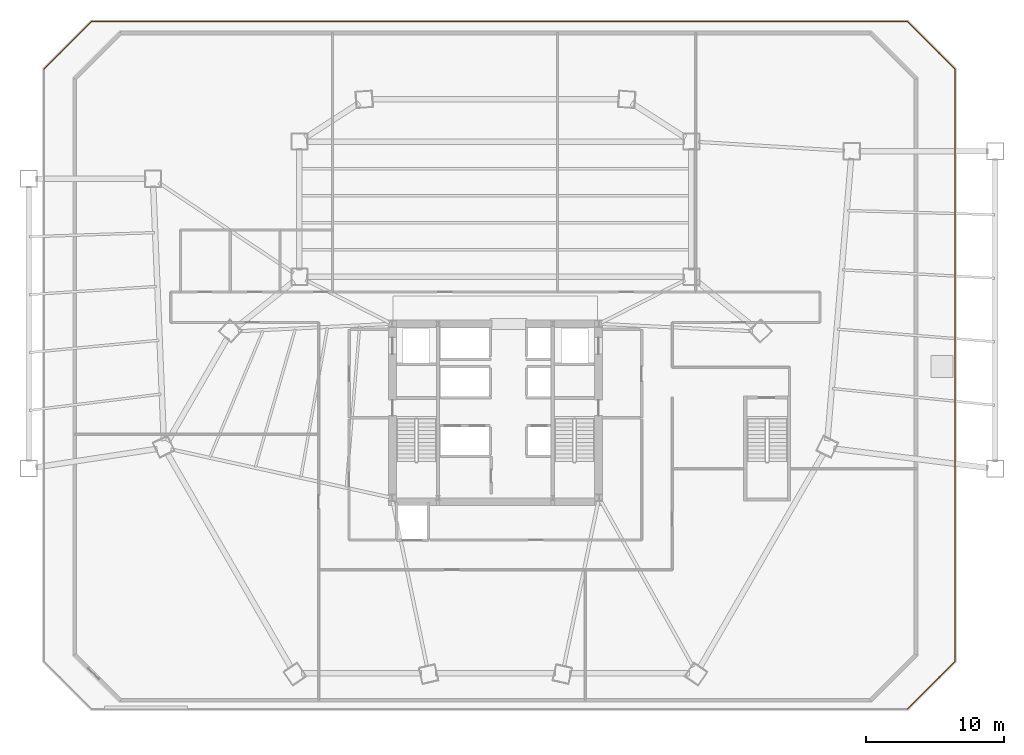
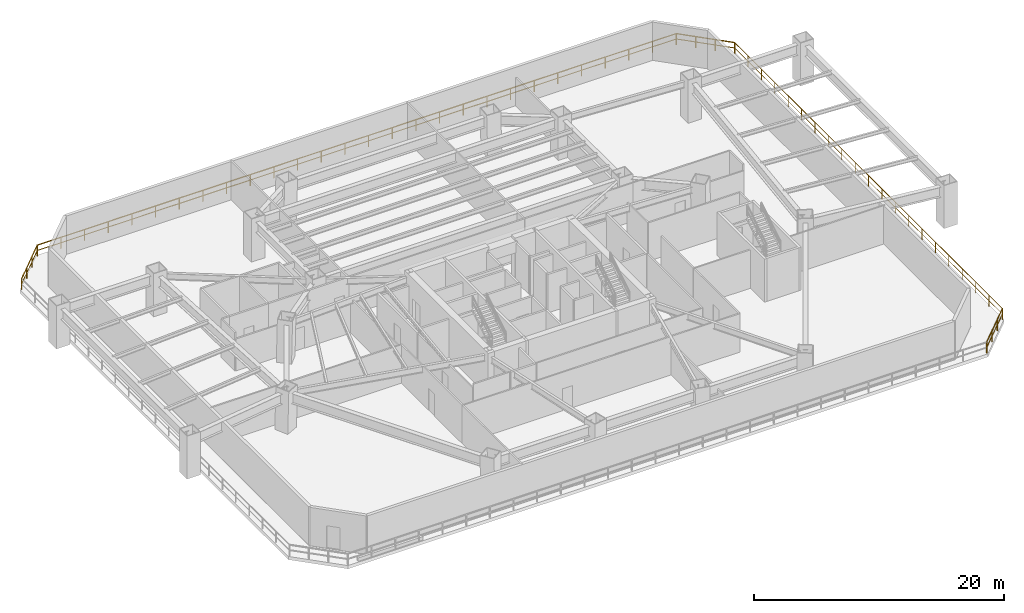
# One storey, part 12 of 12: 5 railings.
"""IFC4 building model written with IfcOpenShell, lengths in metres."""

from ifc_helpers import new_model, si_unit, direction, frame, origin, origin_2d, place, context, subcontext, project, spatial, rectangle, extrude, material, layer, layer_set, type_object, element, save


model = new_model("IFC4")

# Units and contexts
model_context = context("Model", 3, precision=1e-05, world=origin(), true_north=direction((0.0, 1.0)))
body_context = subcontext(model_context, "Body", "Model", "MODEL_VIEW")
ifc_project = project(units=[si_unit("LENGTHUNIT", "METRE"), si_unit("AREAUNIT", "SQUARE_METRE"), si_unit("VOLUMEUNIT", "CUBIC_METRE"), si_unit("PLANEANGLEUNIT", "RADIAN"), si_unit("MASSUNIT", "GRAM", prefix="KILO")], contexts=[model_context])

# Site, building, storey
site_placement = place(None, origin())
site = spatial("IfcSite", under=ifc_project, at=site_placement, CompositionType="ELEMENT")
building_placement = place(site_placement, origin())
building = spatial("IfcBuilding", under=site, at=building_placement, Name="Caelisora Broadcast Tower", CompositionType="ELEMENT")
storey_placement = place(building_placement, frame((0.0, 0.0, 18.89990234375)))
storey = spatial("IfcBuildingStorey", under=building, at=storey_placement, Name="L04", CompositionType="ELEMENT", Elevation=18.89990234375)

# Railings
ifc_material = material(Name="Laminated Glass and Stainless Steel Terrace Balustrade", Category="steel")
ifc_layer = layer(ifc_material, 0.048095703125, Name="Laminated Glass and Stainless Steel Terrace Balustrade")
ifc_layer_set = layer_set([ifc_layer], Name="Laminated Glass and Stainless Steel Terrace Balustrade")
railing_type = type_object("IfcRailingType", Name="BL-1", PredefinedType="BALUSTRADE", material=ifc_layer_set)
railing_1_placement = place(storey_placement, frame((5.320068359375, 48.449951171875, 0.0)))
element("IfcRailing", 1, at=railing_1_placement, inside=storey, type_object=railing_type, Name="L04 balustrade BL-1 #03", PredefinedType="BALUSTRADE", context=body_context, shape_type="SweptSolid", body=[
    extrude(rectangle(XDim=0.048095703125, YDim=0.048095703125, at=origin_2d()), frame((0.0, 0.0, 1.076171875), z_axis=(0.707106781187, 0.707106781187, 0.0), x_axis=(-0.707106781187, 0.707106781187, 0.0)), (0.0, 0.0, 1.0), 4.8505859375),
    extrude(rectangle(XDim=0.03125, YDim=0.03125, at=origin_2d()), frame((0.0, 0.0, 0.550048828125), z_axis=(0.707106781187, 0.707106781187, 0.0), x_axis=(-0.707106781187, 0.707106781187, 0.0)), (0.0, 0.0, 1.0), 4.8505859375),
    extrude(rectangle(XDim=0.0419921875, YDim=0.0419921875, at=origin_2d()), origin(), (0.0, 0.0, 1.0), 1.052001953125),
    extrude(rectangle(XDim=0.0419921875, YDim=0.0419921875, at=origin_2d()), frame((1.143310546875, 1.143310546875, 0.0)), (0.0, 0.0, 1.0), 1.052001953125),
    extrude(rectangle(XDim=0.0419921875, YDim=0.0419921875, at=origin_2d()), frame((2.28662109375, 2.28662109375, 0.0)), (0.0, 0.0, 1.0), 1.052001953125),
    extrude(rectangle(XDim=0.0419921875, YDim=0.0419921875, at=origin_2d()), frame((3.429931640625, 3.429931640625, 0.0)), (0.0, 0.0, 1.0), 1.052001953125),
])
railing_2_placement = place(storey_placement, frame((8.75, 51.8798828125, 0.0)))
element("IfcRailing", 2, at=railing_2_placement, inside=storey, type_object=railing_type, Name="L04 balustrade BL-1 #04", PredefinedType="BALUSTRADE", context=body_context, shape_type="SweptSolid", body=[
    extrude(rectangle(XDim=0.048095703125, YDim=0.048095703125, at=origin_2d()), frame((0.0, 0.0, 1.076171875), z_axis=(1.0, 0.0, 0.0), x_axis=(0.0, 1.0, 0.0)), (0.0, 0.0, 1.0), 59.10009765625),
    extrude(rectangle(XDim=0.03125, YDim=0.03125, at=origin_2d()), frame((0.0, 0.0, 0.550048828125), z_axis=(1.0, 0.0, 0.0), x_axis=(0.0, 1.0, 0.0)), (0.0, 0.0, 1.0), 59.10009765625),
    extrude(rectangle(XDim=0.0419921875, YDim=0.0419921875, at=origin_2d()), origin(), (0.0, 0.0, 1.0), 1.052001953125),
    extrude(rectangle(XDim=0.0419921875, YDim=0.0419921875, at=origin_2d()), frame((2.18896484375, 0.0, 0.0)), (0.0, 0.0, 1.0), 1.052001953125),
    extrude(rectangle(XDim=0.0419921875, YDim=0.0419921875, at=origin_2d()), frame((4.377685546875, 0.0, 0.0)), (0.0, 0.0, 1.0), 1.052001953125),
    extrude(rectangle(XDim=0.0419921875, YDim=0.0419921875, at=origin_2d()), frame((6.566650390625, 0.0, 0.0)), (0.0, 0.0, 1.0), 1.052001953125),
    extrude(rectangle(XDim=0.0419921875, YDim=0.0419921875, at=origin_2d()), frame((8.755615234375, 0.0, 0.0)), (0.0, 0.0, 1.0), 1.052001953125),
    extrude(rectangle(XDim=0.0419921875, YDim=0.0419921875, at=origin_2d()), frame((10.944580078125, 0.0, 0.0)), (0.0, 0.0, 1.0), 1.052001953125),
    extrude(rectangle(XDim=0.0419921875, YDim=0.0419921875, at=origin_2d()), frame((13.13330078125, 0.0, 0.0)), (0.0, 0.0, 1.0), 1.052001953125),
    extrude(rectangle(XDim=0.0419921875, YDim=0.0419921875, at=origin_2d()), frame((15.322265625, 0.0, 0.0)), (0.0, 0.0, 1.0), 1.052001953125),
    extrude(rectangle(XDim=0.0419921875, YDim=0.0419921875, at=origin_2d()), frame((17.51123046875, 0.0, 0.0)), (0.0, 0.0, 1.0), 1.052001953125),
    extrude(rectangle(XDim=0.0419921875, YDim=0.0419921875, at=origin_2d()), frame((19.699951171875, 0.0, 0.0)), (0.0, 0.0, 1.0), 1.052001953125),
    extrude(rectangle(XDim=0.0419921875, YDim=0.0419921875, at=origin_2d()), frame((21.888916015625, 0.0, 0.0)), (0.0, 0.0, 1.0), 1.052001953125),
    extrude(rectangle(XDim=0.0419921875, YDim=0.0419921875, at=origin_2d()), frame((24.077880859375, 0.0, 0.0)), (0.0, 0.0, 1.0), 1.052001953125),
    extrude(rectangle(XDim=0.0419921875, YDim=0.0419921875, at=origin_2d()), frame((26.2666015625, 0.0, 0.0)), (0.0, 0.0, 1.0), 1.052001953125),
    extrude(rectangle(XDim=0.0419921875, YDim=0.0419921875, at=origin_2d()), frame((28.45556640625, 0.0, 0.0)), (0.0, 0.0, 1.0), 1.052001953125),
    extrude(rectangle(XDim=0.0419921875, YDim=0.0419921875, at=origin_2d()), frame((30.64453125, 0.0, 0.0)), (0.0, 0.0, 1.0), 1.052001953125),
    extrude(rectangle(XDim=0.0419921875, YDim=0.0419921875, at=origin_2d()), frame((32.83349609375, 0.0, 0.0)), (0.0, 0.0, 1.0), 1.052001953125),
    extrude(rectangle(XDim=0.0419921875, YDim=0.0419921875, at=origin_2d()), frame((35.022216796875, 0.0, 0.0)), (0.0, 0.0, 1.0), 1.052001953125),
    extrude(rectangle(XDim=0.0419921875, YDim=0.0419921875, at=origin_2d()), frame((37.211181640625, 0.0, 0.0)), (0.0, 0.0, 1.0), 1.052001953125),
    extrude(rectangle(XDim=0.0419921875, YDim=0.0419921875, at=origin_2d()), frame((39.400146484375, 0.0, 0.0)), (0.0, 0.0, 1.0), 1.052001953125),
    extrude(rectangle(XDim=0.0419921875, YDim=0.0419921875, at=origin_2d()), frame((41.5888671875, 0.0, 0.0)), (0.0, 0.0, 1.0), 1.052001953125),
    extrude(rectangle(XDim=0.0419921875, YDim=0.0419921875, at=origin_2d()), frame((43.77783203125, 0.0, 0.0)), (0.0, 0.0, 1.0), 1.052001953125),
    extrude(rectangle(XDim=0.0419921875, YDim=0.0419921875, at=origin_2d()), frame((45.966796875, 0.0, 0.0)), (0.0, 0.0, 1.0), 1.052001953125),
    extrude(rectangle(XDim=0.0419921875, YDim=0.0419921875, at=origin_2d()), frame((48.155517578125, 0.0, 0.0)), (0.0, 0.0, 1.0), 1.052001953125),
    extrude(rectangle(XDim=0.0419921875, YDim=0.0419921875, at=origin_2d()), frame((50.344482421875, 0.0, 0.0)), (0.0, 0.0, 1.0), 1.052001953125),
    extrude(rectangle(XDim=0.0419921875, YDim=0.0419921875, at=origin_2d()), frame((52.533447265625, 0.0, 0.0)), (0.0, 0.0, 1.0), 1.052001953125),
    extrude(rectangle(XDim=0.0419921875, YDim=0.0419921875, at=origin_2d()), frame((54.722412109375, 0.0, 0.0)), (0.0, 0.0, 1.0), 1.052001953125),
    extrude(rectangle(XDim=0.0419921875, YDim=0.0419921875, at=origin_2d()), frame((56.9111328125, 0.0, 0.0)), (0.0, 0.0, 1.0), 1.052001953125),
    extrude(rectangle(XDim=0.0419921875, YDim=0.0419921875, at=origin_2d()), frame((59.10009765625, 0.0, 0.0)), (0.0, 0.0, 1.0), 1.052001953125),
])
railing_3_placement = place(storey_placement, frame((67.85009765625, 51.8798828125, 0.0)))
element("IfcRailing", 3, at=railing_3_placement, inside=storey, type_object=railing_type, Name="L04 balustrade BL-1 #05", PredefinedType="BALUSTRADE", context=body_context, shape_type="SweptSolid", body=[
    extrude(rectangle(XDim=0.048095703125, YDim=0.048095703125, at=origin_2d()), frame((0.0, 0.0, 1.076171875), z_axis=(0.707106781187, -0.707106781187, 0.0), x_axis=(0.707106781187, 0.707106781187, 0.0)), (0.0, 0.0, 1.0), 4.8505859375),
    extrude(rectangle(XDim=0.03125, YDim=0.03125, at=origin_2d()), frame((0.0, 0.0, 0.550048828125), z_axis=(0.707106781187, -0.707106781187, 0.0), x_axis=(0.707106781187, 0.707106781187, 0.0)), (0.0, 0.0, 1.0), 4.8505859375),
    extrude(rectangle(XDim=0.0419921875, YDim=0.0419921875, at=origin_2d()), origin(), (0.0, 0.0, 1.0), 1.052001953125),
    extrude(rectangle(XDim=0.0419921875, YDim=0.0419921875, at=origin_2d()), frame((1.143310546875, -1.143310546875, 0.0)), (0.0, 0.0, 1.0), 1.052001953125),
    extrude(rectangle(XDim=0.0419921875, YDim=0.0419921875, at=origin_2d()), frame((2.28662109375, -2.28662109375, 0.0)), (0.0, 0.0, 1.0), 1.052001953125),
    extrude(rectangle(XDim=0.0419921875, YDim=0.0419921875, at=origin_2d()), frame((3.429931640625, -3.429931640625, 0.0)), (0.0, 0.0, 1.0), 1.052001953125),
])
railing_4_placement = place(storey_placement, frame((71.280029296875, 48.449951171875, 0.0)))
element("IfcRailing", 4, at=railing_4_placement, inside=storey, type_object=railing_type, Name="L04 balustrade BL-1 #06", PredefinedType="BALUSTRADE", context=body_context, shape_type="SweptSolid", body=[
    extrude(rectangle(XDim=0.048095703125, YDim=0.048095703125, at=origin_2d()), frame((0.0, 0.0, 1.076171875), z_axis=(0.0, -1.0, 0.0), x_axis=(1.0, 0.0, 0.0)), (0.0, 0.0, 1.0), 42.89990234375),
    extrude(rectangle(XDim=0.03125, YDim=0.03125, at=origin_2d()), frame((0.0, 0.0, 0.550048828125), z_axis=(0.0, -1.0, 0.0), x_axis=(1.0, 0.0, 0.0)), (0.0, 0.0, 1.0), 42.89990234375),
    extrude(rectangle(XDim=0.0419921875, YDim=0.0419921875, at=origin_2d()), origin(), (0.0, 0.0, 1.0), 1.052001953125),
    extrude(rectangle(XDim=0.0419921875, YDim=0.0419921875, at=origin_2d()), frame((0.0, -2.14501953125, 0.0)), (0.0, 0.0, 1.0), 1.052001953125),
    extrude(rectangle(XDim=0.0419921875, YDim=0.0419921875, at=origin_2d()), frame((0.0, -4.2900390625, 0.0)), (0.0, 0.0, 1.0), 1.052001953125),
    extrude(rectangle(XDim=0.0419921875, YDim=0.0419921875, at=origin_2d()), frame((0.0, -6.43505859375, 0.0)), (0.0, 0.0, 1.0), 1.052001953125),
    extrude(rectangle(XDim=0.0419921875, YDim=0.0419921875, at=origin_2d()), frame((0.0, -8.580078125, 0.0)), (0.0, 0.0, 1.0), 1.052001953125),
    extrude(rectangle(XDim=0.0419921875, YDim=0.0419921875, at=origin_2d()), frame((0.0, -10.72509765625, 0.0)), (0.0, 0.0, 1.0), 1.052001953125),
    extrude(rectangle(XDim=0.0419921875, YDim=0.0419921875, at=origin_2d()), frame((0.0, -12.869873046875, 0.0)), (0.0, 0.0, 1.0), 1.052001953125),
    extrude(rectangle(XDim=0.0419921875, YDim=0.0419921875, at=origin_2d()), frame((0.0, -15.014892578125, 0.0)), (0.0, 0.0, 1.0), 1.052001953125),
    extrude(rectangle(XDim=0.0419921875, YDim=0.0419921875, at=origin_2d()), frame((0.0, -17.159912109375, 0.0)), (0.0, 0.0, 1.0), 1.052001953125),
    extrude(rectangle(XDim=0.0419921875, YDim=0.0419921875, at=origin_2d()), frame((0.0, -19.304931640625, 0.0)), (0.0, 0.0, 1.0), 1.052001953125),
    extrude(rectangle(XDim=0.0419921875, YDim=0.0419921875, at=origin_2d()), frame((0.0, -21.449951171875, 0.0)), (0.0, 0.0, 1.0), 1.052001953125),
    extrude(rectangle(XDim=0.0419921875, YDim=0.0419921875, at=origin_2d()), frame((0.0, -23.594970703125, 0.0)), (0.0, 0.0, 1.0), 1.052001953125),
    extrude(rectangle(XDim=0.0419921875, YDim=0.0419921875, at=origin_2d()), frame((0.0, -25.739990234375, 0.0)), (0.0, 0.0, 1.0), 1.052001953125),
    extrude(rectangle(XDim=0.0419921875, YDim=0.0419921875, at=origin_2d()), frame((0.0, -27.885009765625, 0.0)), (0.0, 0.0, 1.0), 1.052001953125),
    extrude(rectangle(XDim=0.0419921875, YDim=0.0419921875, at=origin_2d()), frame((0.0, -30.030029296875, 0.0)), (0.0, 0.0, 1.0), 1.052001953125),
    extrude(rectangle(XDim=0.0419921875, YDim=0.0419921875, at=origin_2d()), frame((0.0, -32.1748046875, 0.0)), (0.0, 0.0, 1.0), 1.052001953125),
    extrude(rectangle(XDim=0.0419921875, YDim=0.0419921875, at=origin_2d()), frame((0.0, -34.31982421875, 0.0)), (0.0, 0.0, 1.0), 1.052001953125),
    extrude(rectangle(XDim=0.0419921875, YDim=0.0419921875, at=origin_2d()), frame((0.0, -36.46484375, 0.0)), (0.0, 0.0, 1.0), 1.052001953125),
    extrude(rectangle(XDim=0.0419921875, YDim=0.0419921875, at=origin_2d()), frame((0.0, -38.60986328125, 0.0)), (0.0, 0.0, 1.0), 1.052001953125),
    extrude(rectangle(XDim=0.0419921875, YDim=0.0419921875, at=origin_2d()), frame((0.0, -40.7548828125, 0.0)), (0.0, 0.0, 1.0), 1.052001953125),
    extrude(rectangle(XDim=0.0419921875, YDim=0.0419921875, at=origin_2d()), frame((0.0, -42.89990234375, 0.0)), (0.0, 0.0, 1.0), 1.052001953125),
])
railing_5_placement = place(storey_placement, frame((71.280029296875, 5.550048828125, 0.0)))
element("IfcRailing", 5, at=railing_5_placement, inside=storey, type_object=railing_type, Name="L04 balustrade BL-1 #07", PredefinedType="BALUSTRADE", context=body_context, shape_type="SweptSolid", body=[
    extrude(rectangle(XDim=0.048095703125, YDim=0.048095703125, at=origin_2d()), frame((0.0, 0.0, 1.076171875), z_axis=(-0.707106781187, -0.707106781187, 0.0), x_axis=(0.707106781187, -0.707106781187, 0.0)), (0.0, 0.0, 1.0), 4.8505859375),
    extrude(rectangle(XDim=0.03125, YDim=0.03125, at=origin_2d()), frame((0.0, 0.0, 0.550048828125), z_axis=(-0.707106781187, -0.707106781187, 0.0), x_axis=(0.707106781187, -0.707106781187, 0.0)), (0.0, 0.0, 1.0), 4.8505859375),
    extrude(rectangle(XDim=0.0419921875, YDim=0.0419921875, at=origin_2d()), origin(), (0.0, 0.0, 1.0), 1.052001953125),
    extrude(rectangle(XDim=0.0419921875, YDim=0.0419921875, at=origin_2d()), frame((-1.143310546875, -1.143310546875, 0.0)), (0.0, 0.0, 1.0), 1.052001953125),
    extrude(rectangle(XDim=0.0419921875, YDim=0.0419921875, at=origin_2d()), frame((-2.28662109375, -2.28662109375, 0.0)), (0.0, 0.0, 1.0), 1.052001953125),
    extrude(rectangle(XDim=0.0419921875, YDim=0.0419921875, at=origin_2d()), frame((-3.429931640625, -3.429931640625, 0.0)), (0.0, 0.0, 1.0), 1.052001953125),
])

save(model, "model.ifc")
